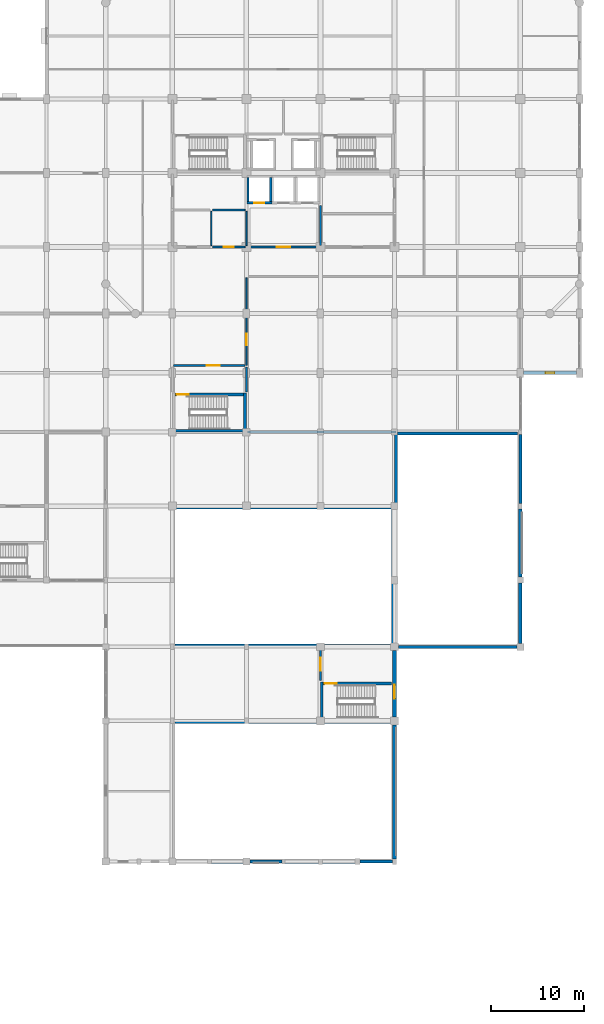
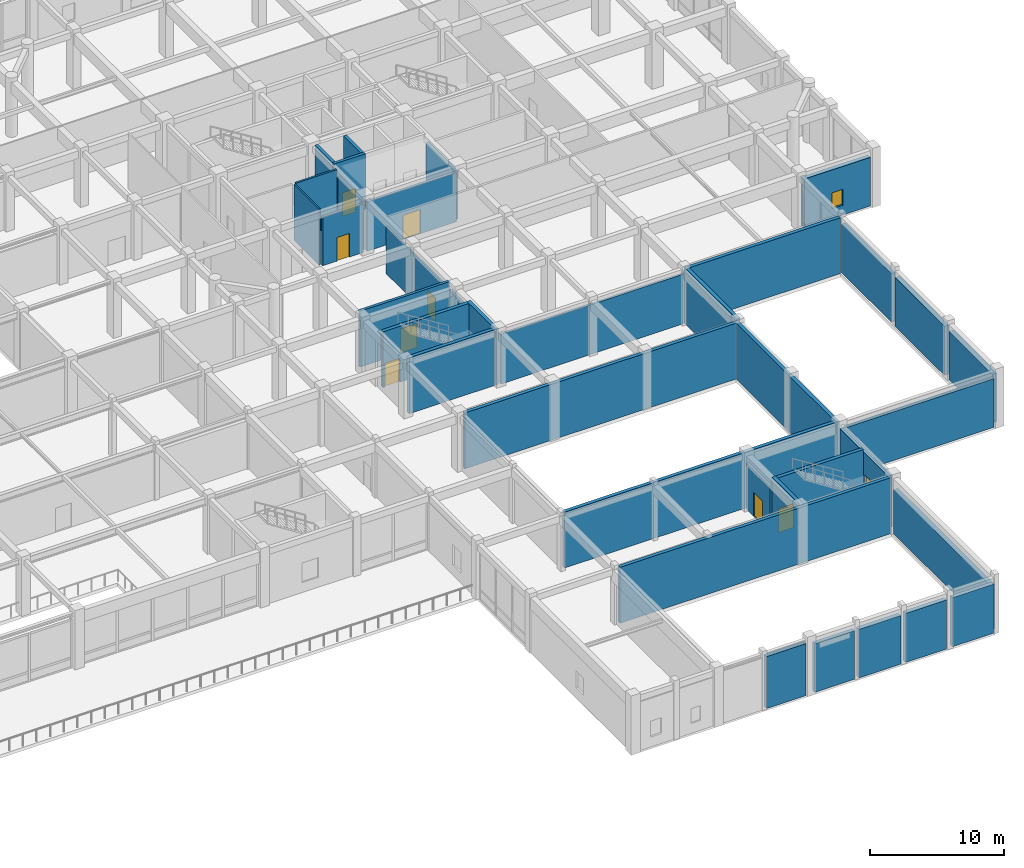
# One storey, part 28 of 36: 37 walls, 8 doors, 2 windows, 10 openings.
"""IFC4 building model written with IfcOpenShell, lengths in metres."""

from ifc_helpers import new_model, si_unit, direction, frame, frame_2d, origin, place, context, subcontext, project, spatial, rectangle, extrude, material, layer, layer_set, type_object, element, fill, save


model = new_model("IFC4")

# Units and contexts
model_context = context("Model", 3, precision=1e-05, world=origin(), true_north=direction((0.0, 1.0)))
body_context = subcontext(model_context, "Body", "Model", "MODEL_VIEW")
ifc_project = project(units=[si_unit("LENGTHUNIT", "METRE"), si_unit("AREAUNIT", "SQUARE_METRE"), si_unit("VOLUMEUNIT", "CUBIC_METRE"), si_unit("PLANEANGLEUNIT", "RADIAN"), si_unit("MASSUNIT", "GRAM", prefix="KILO")], contexts=[model_context])

# Site, building, storey
site_placement = place(None, origin())
site = spatial("IfcSite", under=ifc_project, at=site_placement, CompositionType="ELEMENT")
building_placement = place(site_placement, origin())
building = spatial("IfcBuilding", under=site, at=building_placement, Name="Vellmiral Cinema and Media Centre", CompositionType="ELEMENT")
storey_placement = place(building_placement, frame((0.0, 0.0, 5.39990234375)))
storey = spatial("IfcBuildingStorey", under=building, at=storey_placement, Name="L01", CompositionType="ELEMENT", Elevation=5.39990234375)

# Walls
ifc_material_1 = material(Name="Concrete C40/50", Category="concrete")
ifc_layer_1 = layer(ifc_material_1, 0.300048828125, Name="Concrete C40/50")
ifc_layer_set_1 = layer_set([ifc_layer_1], Name="Concrete C40/50")
wall_type_1 = type_object("IfcWallType", Name="WL-CORE-300", PredefinedType="SHEAR", material=ifc_layer_set_1)
for number, where, z_axis, x_axis, name in (
    (1, (124.300048828125, 27.85009765625, 0.0), (0.0, 0.0, 1.0), (1.0, 0.0, 0.0), "Cinema Screen 5 Acoustic Enclosure Wall L01-N1"),
    (2, (124.300048828125, 36.14990234375, 0.0), (0.0, 0.0, 1.0), (1.0, 0.0, 0.0), "Cinema Screen 6 Acoustic Enclosure Wall L01-S1"),
    (3, (124.300048828125, 51.050048828125, 0.0), (0.0, 0.0, 1.0), (1.0, 0.0, 0.0), "Cinema Screen 6 Acoustic Enclosure Wall L01-N1"),
):
    element("IfcWall", number, at=place(storey_placement, frame(where, z_axis=z_axis, x_axis=x_axis)), inside=storey, type_object=wall_type_1, Name=name, PredefinedType="SHEAR", context=body_context, shape_type="SweptSolid", body=[
        extrude(rectangle(XDim=23.39990234375, YDim=0.300048828125, at=frame_2d((11.699951171875, 0.0))), origin(), (0.0, 0.0, 1.0), 5.10009765625),
    ])
wall_1_placement = place(storey_placement, frame((147.85009765625, 36.0, 0.0), z_axis=(0.0, 0.0, 1.0), x_axis=(0.0, 1.0, 0.0)))
element("IfcWall", 4, at=wall_1_placement, inside=storey, type_object=wall_type_1, Name="Cinema Screen 6 Acoustic Enclosure Wall L01-E1", PredefinedType="SHEAR", context=body_context, shape_type="SweptSolid", body=[
    extrude(rectangle(XDim=15.199951171875, YDim=0.300048828125, at=frame_2d((7.60009765625, 0.0))), origin(), (0.0, 0.0, 1.0), 5.10009765625),
])
wall_2_placement = place(storey_placement, frame((148.300048828125, 59.050048828125, 0.0), z_axis=(0.0, 0.0, 1.0), x_axis=(1.0, 0.0, 0.0)))
element("IfcWall", 5, at=wall_2_placement, inside=storey, type_object=wall_type_1, Name="Cinema Screen 7 Acoustic Enclosure Wall L01-N1", PredefinedType="SHEAR", context=body_context, shape_type="SweptSolid", body=[
    extrude(rectangle(XDim=13.0, YDim=0.300048828125, at=frame_2d((6.5, 0.0))), origin(), (0.0, 0.0, 1.0), 5.10009765625),
])
wall_3_placement = place(storey_placement, frame((148.14990234375, 51.35009765625, 0.0), z_axis=(0.0, 0.0, 1.0), x_axis=(0.0, 1.0, 0.0)))
element("IfcWall", 6, at=wall_3_placement, inside=storey, type_object=wall_type_1, Name="Cinema Screen 7 Acoustic Enclosure Wall L01-W1", PredefinedType="SHEAR", context=body_context, shape_type="SweptSolid", body=[
    extrude(rectangle(XDim=7.849853515625, YDim=0.300048828125, at=frame_2d((3.9248046875, 0.0))), origin(), (0.0, 0.0, 1.0), 5.10009765625),
])
wall_4_placement = place(storey_placement, frame((131.85009765625, 59.199951171875, 0.0), z_axis=(0.0, 0.0, 1.0), x_axis=(0.0, 1.0, 0.0)))
element("IfcWall", 7, at=wall_4_placement, inside=storey, type_object=wall_type_1, Name="Stair Core Wall ST-P6 L01-E", PredefinedType="SHEAR", context=body_context, shape_type="SweptSolid", body=[
    extrude(rectangle(XDim=4.199951171875, YDim=0.300048828125, at=frame_2d((2.10009765625, 0.0))), origin(), (0.0, 0.0, 1.0), 5.10009765625),
])
wall_5_placement = place(storey_placement, frame((124.300048828125, 59.35009765625, 0.0), z_axis=(0.0, 0.0, 1.0), x_axis=(1.0, 0.0, 0.0)))
element("IfcWall", 8, at=wall_5_placement, inside=storey, type_object=wall_type_1, Name="Stair Core Wall ST-P6 L01-S", PredefinedType="SHEAR", context=body_context, shape_type="SweptSolid", body=[
    extrude(rectangle(XDim=7.39990234375, YDim=0.300048828125, at=frame_2d((3.699951171875, 0.0))), origin(), (0.0, 0.0, 1.0), 5.10009765625),
])

# Wall, opening, door
wall_6_placement = place(storey_placement, frame((124.300048828125, 63.25, 0.0), z_axis=(0.0, 0.0, 1.0), x_axis=(1.0, 0.0, 0.0)))
wall_6 = element("IfcWall", 9, at=wall_6_placement, inside=storey, type_object=wall_type_1, Name="Stair Core Wall ST-P6 L01-N", PredefinedType="SHEAR", context=body_context, shape_type="SweptSolid", body=[
    extrude(rectangle(XDim=7.39990234375, YDim=0.300048828125, at=frame_2d((3.699951171875, 0.0))), origin(), (0.0, 0.0, 1.0), 5.10009765625),
])
opening_1_placement = place(wall_6_placement, frame((0.159912109375, 0.0, 0.0)))
opening_1 = element("IfcOpeningElement", 10, at=opening_1_placement, cuts=wall_6, Name="Opening D-FD30A", PredefinedType="OPENING", context=body_context, shape_type="SweptSolid", body=[
    extrude(rectangle(XDim=1.300048828125, YDim=2.179931640625, at=frame_2d((0.64990234375, 1.08984375))), frame((0.0, 0.162109375, 0.0), z_axis=(0.0, -1.0, 0.0), x_axis=(1.0, 0.0, 0.0)), (0.0, 0.0, 1.0), 0.323974609375),
])
ifc_material_2 = material(Name="Steel Stair Fire Door", Category="steel")
door_type_1 = type_object("IfcDoorType", Name="DR-FD30-1300x2180", OperationType="NOTDEFINED", PredefinedType="DOOR", material=ifc_material_2)
door_1_placement = place(opening_1_placement, frame((1.300048828125, 0.0, 0.0), z_axis=(0.0, 0.0, 1.0), x_axis=(-1.0, 0.0, 0.0)))
door_1 = element("IfcDoor", 11, at=door_1_placement, inside=storey, type_object=door_type_1, Name="Protected Stair Door ST-P6 L01", OperationType="SINGLE_SWING_RIGHT", OverallHeight=2.179931640625, OverallWidth=1.300048828125, PredefinedType="DOOR", context=body_context, shape_type="SweptSolid", body=[
    extrude(rectangle(XDim=1.300048828125, YDim=2.179931640625, at=frame_2d((0.64990234375, 1.08984375))), frame((0.0, 0.02490234375, 0.0), z_axis=(0.0, -1.0, 0.0), x_axis=(1.0, 0.0, 0.0)), (0.0, 0.0, 1.0), 0.050048828125),
])
fill(opening_1, door_1)

# Wall
wall_7_placement = place(storey_placement, frame((140.14990234375, 28.0, 0.0), z_axis=(0.0, 0.0, 1.0), x_axis=(0.0, 1.0, 0.0)))
element("IfcWall", 12, at=wall_7_placement, inside=storey, type_object=wall_type_1, Name="Stair Core Wall ST-P8 L01-W", PredefinedType="SHEAR", context=body_context, shape_type="SweptSolid", body=[
    extrude(rectangle(XDim=4.199951171875, YDim=0.300048828125, at=frame_2d((2.10009765625, 0.0))), origin(), (0.0, 0.0, 1.0), 5.10009765625),
])

# Wall, opening, door
wall_8_placement = place(storey_placement, frame((140.300048828125, 32.050048828125, 0.0), z_axis=(0.0, 0.0, 1.0), x_axis=(1.0, 0.0, 0.0)))
wall_8 = element("IfcWall", 13, at=wall_8_placement, inside=storey, type_object=wall_type_1, Name="Stair Core Wall ST-P8 L01-N", PredefinedType="SHEAR", context=body_context, shape_type="SweptSolid", body=[
    extrude(rectangle(XDim=7.39990234375, YDim=0.300048828125, at=frame_2d((3.699951171875, 0.0))), origin(), (0.0, 0.0, 1.0), 5.10009765625),
])
opening_2_placement = place(wall_8_placement, frame((0.159912109375, 0.0, 0.0)))
opening_2 = element("IfcOpeningElement", 14, at=opening_2_placement, cuts=wall_8, Name="Opening D-FD30A", PredefinedType="OPENING", context=body_context, shape_type="SweptSolid", body=[
    extrude(rectangle(XDim=1.300048828125, YDim=2.179931640625, at=frame_2d((0.64990234375, 1.08984375))), frame((0.0, 0.162109375, 0.0), z_axis=(0.0, -1.0, 0.0), x_axis=(1.0, 0.0, 0.0)), (0.0, 0.0, 1.0), 0.323974609375),
])
door_2_placement = place(opening_2_placement, frame((1.300048828125, 0.0, 0.0), z_axis=(0.0, 0.0, 1.0), x_axis=(-1.0, 0.0, 0.0)))
door_2 = element("IfcDoor", 15, at=door_2_placement, inside=storey, type_object=door_type_1, Name="Protected Stair Door ST-P8 L01", OperationType="SINGLE_SWING_RIGHT", OverallHeight=2.179931640625, OverallWidth=1.300048828125, PredefinedType="DOOR", context=body_context, shape_type="SweptSolid", body=[
    extrude(rectangle(XDim=1.300048828125, YDim=2.179931640625, at=frame_2d((0.64990234375, 1.08984375))), frame((0.0, 0.02490234375, 0.0), z_axis=(0.0, -1.0, 0.0), x_axis=(1.0, 0.0, 0.0)), (0.0, 0.0, 1.0), 0.050048828125),
])
fill(opening_2, door_2)

# Walls
ifc_material_3 = material(Name="Polychrome Glazed Ceramic Cladding", Category="masonry")
ifc_layer_2 = layer(ifc_material_3, 0.320068359375, Name="Polychrome Glazed Ceramic Cladding")
ifc_layer_set_2 = layer_set([ifc_layer_2], Name="Polychrome Glazed Ceramic Cladding")
wall_type_2 = type_object("IfcWallType", Name="WL-EXT-BRICK-320", PredefinedType="SOLIDWALL", material=ifc_layer_set_2)
wall_9_placement = place(storey_placement, frame((132.375, 12.800048828125, 0.0), z_axis=(0.0, 0.0, 1.0), x_axis=(1.0, 0.0, 0.0)))
element("IfcWall", 16, at=wall_9_placement, inside=storey, type_object=wall_type_2, Name="Exterior Facade Wall L01-024", PredefinedType="SOLIDWALL", context=body_context, shape_type="SweptSolid", body=[
    extrude(rectangle(XDim=3.449951171875, YDim=0.320068359375, at=frame_2d((1.72509765625, 0.0))), origin(), (0.0, 0.0, 1.0), 4.43505859375),
])
wall_10_placement = place(storey_placement, frame((144.25, 12.800048828125, 0.0), z_axis=(0.0, 0.0, 1.0), x_axis=(1.0, 0.0, 0.0)))
element("IfcWall", 17, at=wall_10_placement, inside=storey, type_object=wall_type_2, Name="Exterior Facade Wall L01-027", PredefinedType="SOLIDWALL", context=body_context, shape_type="SweptSolid", body=[
    extrude(rectangle(XDim=3.550048828125, YDim=0.320068359375, at=frame_2d((1.77490234375, 0.0))), origin(), (0.0, 0.0, 1.0), 4.47509765625),
])
wall_11_placement = place(storey_placement, frame((148.425048828125, 36.0, 0.0), z_axis=(0.0, 0.0, 1.0), x_axis=(1.0, 0.0, 0.0)))
element("IfcWall", 18, at=wall_11_placement, inside=storey, type_object=wall_type_2, Name="Exterior Facade Wall L01-030", PredefinedType="SOLIDWALL", context=body_context, shape_type="SweptSolid", body=[
    extrude(rectangle(XDim=12.800048828125, YDim=0.320068359375, at=frame_2d((6.39990234375, 0.0))), origin(), (0.0, 0.0, 1.0), 4.43505859375),
])
wall_12_placement = place(storey_placement, frame((161.60009765625, 51.5, 0.0), z_axis=(0.0, 0.0, 1.0), x_axis=(0.0, 1.0, 0.0)))
element("IfcWall", 19, at=wall_12_placement, inside=storey, type_object=wall_type_2, Name="Exterior Facade Wall L01-033", PredefinedType="SOLIDWALL", context=body_context, shape_type="SweptSolid", body=[
    extrude(rectangle(XDim=7.449951171875, YDim=0.320068359375, at=frame_2d((3.72509765625, 0.0))), origin(), (0.0, 0.0, 1.0), 4.455078125),
])
ifc_material_4 = material(Name="Vosges Red Sandstone Masonry", Category="masonry")
ifc_layer_3 = layer(ifc_material_4, 0.3798828125, Name="Vosges Red Sandstone Masonry")
ifc_layer_set_3 = layer_set([ifc_layer_3], Name="Vosges Red Sandstone Masonry")
wall_type_3 = type_object("IfcWallType", Name="WL-EXT-SAND-380", PredefinedType="SOLIDWALL", material=ifc_layer_set_3)
wall_13_placement = place(storey_placement, frame((128.199951171875, 12.800048828125, 0.0), z_axis=(0.0, 0.0, 1.0), x_axis=(1.0, 0.0, 0.0)))
element("IfcWall", 20, at=wall_13_placement, inside=storey, type_object=wall_type_3, Name="Exterior Facade Wall L01-023", PredefinedType="SOLIDWALL", context=body_context, shape_type="SweptSolid", body=[
    extrude(rectangle(XDim=3.425048828125, YDim=0.3798828125, at=frame_2d((1.71240234375, 0.0))), origin(), (0.0, 0.0, 1.0), 4.735107421875),
])
wall_14_placement = place(storey_placement, frame((136.175048828125, 12.800048828125, 0.0), z_axis=(0.0, 0.0, 1.0), x_axis=(1.0, 0.0, 0.0)))
element("IfcWall", 21, at=wall_14_placement, inside=storey, type_object=wall_type_3, Name="Exterior Facade Wall L01-025", PredefinedType="SOLIDWALL", context=body_context, shape_type="SweptSolid", body=[
    extrude(rectangle(XDim=3.625, YDim=0.3798828125, at=frame_2d((1.8125, 0.0))), origin(), (0.0, 0.0, 1.0), 4.43505859375),
])
wall_15_placement = place(storey_placement, frame((140.199951171875, 12.800048828125, 0.0), z_axis=(0.0, 0.0, 1.0), x_axis=(1.0, 0.0, 0.0)))
element("IfcWall", 22, at=wall_15_placement, inside=storey, type_object=wall_type_3, Name="Exterior Facade Wall L01-026", PredefinedType="SOLIDWALL", context=body_context, shape_type="SweptSolid", body=[
    extrude(rectangle(XDim=3.550048828125, YDim=0.3798828125, at=frame_2d((1.77490234375, 0.0))), origin(), (0.0, 0.0, 1.0), 4.47509765625),
])
wall_16_placement = place(storey_placement, frame((148.0, 13.10009765625, 0.0), z_axis=(0.0, 0.0, 1.0), x_axis=(0.0, 1.0, 0.0)))
element("IfcWall", 23, at=wall_16_placement, inside=storey, type_object=wall_type_3, Name="Exterior Facade Wall L01-028", PredefinedType="SOLIDWALL", context=body_context, shape_type="SweptSolid", body=[
    extrude(rectangle(XDim=14.474853515625, YDim=0.3798828125, at=frame_2d((7.2373046875, 0.0))), origin(), (0.0, 0.0, 1.0), 4.03515625),
])

# Wall, opening, window
wall_17_placement = place(storey_placement, frame((148.0, 28.425048828125, 0.0), z_axis=(0.0, 0.0, 1.0), x_axis=(0.0, 1.0, 0.0)))
wall_17 = element("IfcWall", 24, at=wall_17_placement, inside=storey, type_object=wall_type_3, Name="Exterior Facade Wall L01-029", PredefinedType="SOLIDWALL", context=body_context, shape_type="SweptSolid", body=[
    extrude(rectangle(XDim=7.14990234375, YDim=0.3798828125, at=frame_2d((3.574951171875, 0.0))), origin(), (0.0, 0.0, 1.0), 4.735107421875),
])
opening_3_placement = place(wall_17_placement, frame((1.97509765625, 0.0, 0.89990234375)))
opening_3 = element("IfcOpeningElement", 25, at=opening_3_placement, cuts=wall_17, Name="Opening WN-06", PredefinedType="OPENING", context=body_context, shape_type="SweptSolid", body=[
    extrude(rectangle(XDim=1.5, YDim=1.85009765625, at=frame_2d((0.75, 0.925048828125))), frame((0.0, 0.201904296875, 0.0), z_axis=(0.0, -1.0, 0.0), x_axis=(1.0, 0.0, 0.0)), (0.0, 0.0, 1.0), 0.40380859375),
])
ifc_material_5 = material(Name="Thermally Broken Aluminium Triple Glazing", Category="aluminium")
window_type_1 = type_object("IfcWindowType", Name="WN-1500x1850", PartitioningType="SINGLE_PANEL", PredefinedType="WINDOW", material=ifc_material_5)
window_1_placement = place(opening_3_placement, origin())
window_1 = element("IfcWindow", 26, at=window_1_placement, inside=storey, type_object=window_type_1, Name="Window L01-029", OverallHeight=1.85009765625, OverallWidth=1.5, PartitioningType="SINGLE_PANEL", PredefinedType="WINDOW", context=body_context, shape_type="SweptSolid", body=[
    extrude(rectangle(XDim=1.5, YDim=1.85009765625, at=frame_2d((0.75, 0.925048828125))), frame((0.0, 0.030029296875, 0.0), z_axis=(0.0, -1.0, 0.0), x_axis=(1.0, 0.0, 0.0)), (0.0, 0.0, 1.0), 0.06005859375),
])
fill(opening_3, window_1)

# Walls
wall_18_placement = place(storey_placement, frame((161.60009765625, 36.375, 0.0), z_axis=(0.0, 0.0, 1.0), x_axis=(0.0, 1.0, 0.0)))
element("IfcWall", 27, at=wall_18_placement, inside=storey, type_object=wall_type_3, Name="Exterior Facade Wall L01-031", PredefinedType="SOLIDWALL", context=body_context, shape_type="SweptSolid", body=[
    extrude(rectangle(XDim=6.5, YDim=0.3798828125, at=frame_2d((3.25, 0.0))), origin(), (0.0, 0.0, 1.0), 4.43505859375),
])
wall_19_placement = place(storey_placement, frame((161.60009765625, 43.52490234375, 0.0), z_axis=(0.0, 0.0, 1.0), x_axis=(0.0, 1.0, 0.0)))
element("IfcWall", 28, at=wall_19_placement, inside=storey, type_object=wall_type_3, Name="Exterior Facade Wall L01-032", PredefinedType="SOLIDWALL", context=body_context, shape_type="SweptSolid", body=[
    extrude(rectangle(XDim=7.375, YDim=0.3798828125, at=frame_2d((3.6875, 0.0))), origin(), (0.0, 0.0, 1.0), 4.47509765625),
])

# Wall, opening, window
wall_20_placement = place(storey_placement, frame((161.949951171875, 65.60009765625, 0.0), z_axis=(0.0, 0.0, 1.0), x_axis=(1.0, 0.0, 0.0)))
wall_20 = element("IfcWall", 29, at=wall_20_placement, inside=storey, type_object=wall_type_3, Name="Exterior Facade Wall L01-035", PredefinedType="SOLIDWALL", context=body_context, shape_type="SweptSolid", body=[
    extrude(rectangle(XDim=5.699951171875, YDim=0.3798828125, at=frame_2d((2.85009765625, 0.0))), origin(), (0.0, 0.0, 1.0), 4.440185546875),
])
opening_4_placement = place(wall_20_placement, frame((2.375, 0.0, 0.89990234375)))
opening_4 = element("IfcOpeningElement", 30, at=opening_4_placement, cuts=wall_20, Name="Opening WN-12", PredefinedType="OPENING", context=body_context, shape_type="SweptSolid", body=[
    extrude(rectangle(XDim=0.949951171875, YDim=1.449951171875, at=frame_2d((0.47509765625, 0.72509765625))), frame((0.0, 0.201904296875, 0.0), z_axis=(0.0, -1.0, 0.0), x_axis=(1.0, 0.0, 0.0)), (0.0, 0.0, 1.0), 0.40380859375),
])
ifc_material_6 = material(Name="Thermally Broken Aluminium Triple Glazing", Category="aluminium")
window_type_2 = type_object("IfcWindowType", Name="WN-0950x1450", PartitioningType="SINGLE_PANEL", PredefinedType="WINDOW", material=ifc_material_6)
window_2_placement = place(opening_4_placement, origin())
window_2 = element("IfcWindow", 31, at=window_2_placement, inside=storey, type_object=window_type_2, Name="Window L01-035", OverallHeight=1.449951171875, OverallWidth=0.949951171875, PartitioningType="SINGLE_PANEL", PredefinedType="WINDOW", context=body_context, shape_type="SweptSolid", body=[
    extrude(rectangle(XDim=0.949951171875, YDim=1.449951171875, at=frame_2d((0.47509765625, 0.72509765625))), frame((0.0, 0.030029296875, 0.0), z_axis=(0.0, -1.0, 0.0), x_axis=(1.0, 0.0, 0.0)), (0.0, 0.0, 1.0), 0.06005859375),
])
fill(opening_4, window_2)

# Wall, opening, door
ifc_material_7 = material(Name="Concrete C40/50", Category="concrete")
ifc_layer_4 = layer(ifc_material_7, 0.22998046875, Name="Concrete C40/50")
ifc_layer_set_4 = layer_set([ifc_layer_4], Name="Concrete C40/50")
wall_type_4 = type_object("IfcWallType", Name="WL-FFL-230", PredefinedType="SOLIDWALL", material=ifc_layer_set_4)
wall_21_placement = place(storey_placement, frame((124.139892578125, 66.39990234375, 0.0), z_axis=(0.0, 0.0, 1.0), x_axis=(1.0, 0.0, 0.0)))
wall_21 = element("IfcWall", 32, at=wall_21_placement, inside=storey, type_object=wall_type_4, Name="Firefighting Stair Lobby ST-P6 Wall N", PredefinedType="SOLIDWALL", context=body_context, shape_type="SweptSolid", body=[
    extrude(rectangle(XDim=7.72021484375, YDim=0.22998046875, at=frame_2d((3.860107421875, 0.0))), origin(), (0.0, 0.0, 1.0), 5.10009765625),
])
opening_5_placement = place(wall_21_placement, frame((3.56005859375, 0.0, 0.0)))
opening_5 = element("IfcOpeningElement", 33, at=opening_5_placement, cuts=wall_21, Name="Opening D-FD60B", PredefinedType="OPENING", context=body_context, shape_type="SweptSolid", body=[
    extrude(rectangle(XDim=1.39990234375, YDim=2.199951171875, at=frame_2d((0.699951171875, 1.10009765625))), frame((0.0, 0.126953125, 0.0), z_axis=(0.0, -1.0, 0.0), x_axis=(1.0, 0.0, 0.0)), (0.0, 0.0, 1.0), 0.25390625),
])
ifc_material_8 = material(Name="Steel Fire Door", Category="steel")
door_type_2 = type_object("IfcDoorType", Name="DR-FD60-1400x2200", OperationType="NOTDEFINED", PredefinedType="DOOR", material=ifc_material_8)
door_3_placement = place(opening_5_placement, frame((1.39990234375, 0.0, 0.0), z_axis=(0.0, 0.0, 1.0), x_axis=(-1.0, 0.0, 0.0)))
door_3 = element("IfcDoor", 34, at=door_3_placement, inside=storey, type_object=door_type_2, Name="Firefighting Stair Lobby ST-P6 Door", OperationType="SINGLE_SWING_LEFT", OverallHeight=2.199951171875, OverallWidth=1.39990234375, PredefinedType="DOOR", context=body_context, shape_type="SweptSolid", body=[
    extrude(rectangle(XDim=1.39990234375, YDim=2.199951171875, at=frame_2d((0.699951171875, 1.10009765625))), frame((0.0, 0.02490234375, 0.0), z_axis=(0.0, -1.0, 0.0), x_axis=(1.0, 0.0, 0.0)), (0.0, 0.0, 1.0), 0.050048828125),
])
fill(opening_5, door_3)

# Wall
wall_22_placement = place(storey_placement, frame((132.0, 63.5400390625, 0.0), z_axis=(0.0, 0.0, 1.0), x_axis=(0.0, 1.0, 0.0)))
element("IfcWall", 35, at=wall_22_placement, inside=storey, type_object=wall_type_4, Name="Firefighting Stair Lobby ST-P6 Wall E", PredefinedType="SOLIDWALL", context=body_context, shape_type="SweptSolid", body=[
    extrude(rectangle(XDim=2.719970703125, YDim=0.22998046875, at=frame_2d((1.35986328125, 0.0))), origin(), (0.0, 0.0, 1.0), 4.235107421875),
])

# Wall, opening, door
wall_23_placement = place(storey_placement, frame((140.0, 32.340087890625, 0.0), z_axis=(0.0, 0.0, 1.0), x_axis=(0.0, 1.0, 0.0)))
wall_23 = element("IfcWall", 36, at=wall_23_placement, inside=storey, type_object=wall_type_4, Name="Firefighting Stair Lobby ST-P8 Wall W", PredefinedType="SOLIDWALL", context=body_context, shape_type="SweptSolid", body=[
    extrude(rectangle(XDim=3.52001953125, YDim=0.22998046875, at=frame_2d((1.760009765625, 0.0))), origin(), (0.0, 0.0, 1.0), 4.18505859375),
])
opening_6_placement = place(wall_23_placement, frame((1.06005859375, 0.0, 0.0)))
opening_6 = element("IfcOpeningElement", 37, at=opening_6_placement, cuts=wall_23, Name="Opening D-FD60B", PredefinedType="OPENING", context=body_context, shape_type="SweptSolid", body=[
    extrude(rectangle(XDim=1.39990234375, YDim=2.199951171875, at=frame_2d((0.699951171875, 1.10009765625))), frame((0.0, 0.126953125, 0.0), z_axis=(0.0, -1.0, 0.0), x_axis=(1.0, 0.0, 0.0)), (0.0, 0.0, 1.0), 0.25390625),
])
door_4_placement = place(opening_6_placement, frame((1.39990234375, 0.0, 0.0), z_axis=(0.0, 0.0, 1.0), x_axis=(-1.0, 0.0, 0.0)))
door_4 = element("IfcDoor", 38, at=door_4_placement, inside=storey, type_object=door_type_2, Name="Firefighting Stair Lobby ST-P8 Door", OperationType="SINGLE_SWING_RIGHT", OverallHeight=2.199951171875, OverallWidth=1.39990234375, PredefinedType="DOOR", context=body_context, shape_type="SweptSolid", body=[
    extrude(rectangle(XDim=1.39990234375, YDim=2.199951171875, at=frame_2d((0.699951171875, 1.10009765625))), frame((0.0, 0.02490234375, 0.0), z_axis=(0.0, -1.0, 0.0), x_axis=(1.0, 0.0, 0.0)), (0.0, 0.0, 1.0), 0.050048828125),
])
fill(opening_6, door_4)

wall_24_placement = place(storey_placement, frame((132.139892578125, 79.199951171875, 0.0), z_axis=(0.0, 0.0, 1.0), x_axis=(1.0, 0.0, 0.0)))
wall_24 = element("IfcWall", 39, at=wall_24_placement, inside=storey, type_object=wall_type_4, Name="Tower Passenger Lift Lobby Wall S", PredefinedType="SOLIDWALL", context=body_context, shape_type="SweptSolid", body=[
    extrude(rectangle(XDim=7.72021484375, YDim=0.22998046875, at=frame_2d((3.860107421875, 0.0))), origin(), (0.0, 0.0, 1.0), 4.485107421875),
])
opening_7_placement = place(wall_24_placement, frame((3.110107421875, 0.0, 0.0)))
opening_7 = element("IfcOpeningElement", 40, at=opening_7_placement, cuts=wall_24, Name="Opening D-FD30", PredefinedType="OPENING", context=body_context, shape_type="SweptSolid", body=[
    extrude(rectangle(XDim=1.5, YDim=2.199951171875, at=frame_2d((0.75, 1.10009765625))), frame((0.0, 0.126953125, 0.0), z_axis=(0.0, -1.0, 0.0), x_axis=(1.0, 0.0, 0.0)), (0.0, 0.0, 1.0), 0.25390625),
])
ifc_material_9 = material(Name="Timber-Core Fire Door", Category="wood")
door_type_3 = type_object("IfcDoorType", Name="DR-FD30-1500x2200", OperationType="DOUBLE_DOOR_SINGLE_SWING", PredefinedType="DOOR", material=ifc_material_9)
door_5_placement = place(opening_7_placement, frame((1.5, 0.0, 0.0), z_axis=(0.0, 0.0, 1.0), x_axis=(-1.0, 0.0, 0.0)))
door_5 = element("IfcDoor", 41, at=door_5_placement, inside=storey, type_object=door_type_3, Name="Tower Passenger Lift Lobby Door", OperationType="DOUBLE_DOOR_SINGLE_SWING", OverallHeight=2.199951171875, OverallWidth=1.5, PredefinedType="DOOR", context=body_context, shape_type="SweptSolid", body=[
    extrude(rectangle(XDim=1.5, YDim=2.199951171875, at=frame_2d((0.75, 1.10009765625))), frame((0.0, 0.02490234375, 0.0), z_axis=(0.0, -1.0, 0.0), x_axis=(1.0, 0.0, 0.0)), (0.0, 0.0, 1.0), 0.050048828125),
])
fill(opening_7, door_5)

# Walls
wall_25_placement = place(storey_placement, frame((140.0, 79.340087890625, 0.0), z_axis=(0.0, 0.0, 1.0), x_axis=(0.0, 1.0, 0.0)))
element("IfcWall", 42, at=wall_25_placement, inside=storey, type_object=wall_type_4, Name="Tower Passenger Lift Lobby Wall E", PredefinedType="SOLIDWALL", context=body_context, shape_type="SweptSolid", body=[
    extrude(rectangle(XDim=4.31982421875, YDim=0.22998046875, at=frame_2d((2.159912109375, 0.0))), origin(), (0.0, 0.0, 1.0), 4.43505859375),
])
ifc_material_10 = material(Name="Gypsum Plasterboard")
ifc_layer_5 = layer(ifc_material_10, 0.02490234375, Name="Gypsum Plasterboard", Category="gypsum")
ifc_material_11 = material(Name="Mineral Wool Acoustic Insulation", Category="insulation")
ifc_layer_6 = layer(ifc_material_11, 0.080078125, Name="Mineral Wool Acoustic Insulation", Category="insulation")
ifc_layer_7 = layer(ifc_material_10, 0.02490234375, Name="Gypsum Plasterboard", Category="gypsum")
ifc_layer_set_5 = layer_set([ifc_layer_5, ifc_layer_6, ifc_layer_7], Name="Gypsum Plasterboard")
wall_type_5 = type_object("IfcWallType", Name="WL-PART-130", PredefinedType="PARTITIONING", material=ifc_layer_set_5)
wall_26_placement = place(storey_placement, frame((128.199951171875, 79.340087890625, 0.0), z_axis=(0.0, 0.0, 1.0), x_axis=(0.0, 1.0, 0.0)))
element("IfcWall", 43, at=wall_26_placement, inside=storey, type_object=wall_type_5, Name="Staff WC Wall E", PredefinedType="PARTITIONING", context=body_context, shape_type="SweptSolid", body=[
    extrude(rectangle(XDim=3.719970703125, YDim=0.1298828125, at=frame_2d((1.85986328125, 0.0))), origin(), (0.0, 0.0, 1.0), 5.10009765625),
])
ifc_material_12 = material(Name="Gypsum Plasterboard")
ifc_layer_8 = layer(ifc_material_12, 0.02490234375, Name="Gypsum Plasterboard", Category="gypsum")
ifc_material_13 = material(Name="Mineral Wool Acoustic Insulation", Category="insulation")
ifc_layer_9 = layer(ifc_material_13, 0.10009765625, Name="Mineral Wool Acoustic Insulation", Category="insulation")
ifc_layer_10 = layer(ifc_material_12, 0.02490234375, Name="Gypsum Plasterboard", Category="gypsum")
ifc_layer_set_6 = layer_set([ifc_layer_8, ifc_layer_9, ifc_layer_10], Name="Gypsum Plasterboard")
wall_type_6 = type_object("IfcWallType", Name="WL-PART-150", PredefinedType="PARTITIONING", material=ifc_layer_set_6)
wall_27_placement = place(storey_placement, frame((132.0, 79.340087890625, 0.0), z_axis=(0.0, 0.0, 1.0), x_axis=(0.0, 1.0, 0.0)))
element("IfcWall", 44, at=wall_27_placement, inside=storey, type_object=wall_type_6, Name="Accessible WC Wall E", PredefinedType="PARTITIONING", context=body_context, shape_type="SweptSolid", body=[
    extrude(rectangle(XDim=3.719970703125, YDim=0.14990234375, at=frame_2d((1.85986328125, 0.0))), origin(), (0.0, 0.0, 1.0), 4.485107421875),
])

# Wall, opening, door
wall_28_placement = place(storey_placement, frame((132.0, 66.39990234375, 0.0), z_axis=(0.0, 0.0, 1.0), x_axis=(0.0, 1.0, 0.0)))
wall_28 = element("IfcWall", 45, at=wall_28_placement, inside=storey, type_object=wall_type_6, Name="Tower L01 Production Office South Wall W", PredefinedType="PARTITIONING", context=body_context, shape_type="SweptSolid", body=[
    extrude(rectangle(XDim=9.460205078125, YDim=0.14990234375, at=frame_2d((4.72998046875, 0.0))), origin(), (0.0, 0.0, 1.0), 4.28515625),
])
opening_8_placement = place(wall_28_placement, frame((2.199951171875, 0.0, 0.0)))
opening_8 = element("IfcOpeningElement", 46, at=opening_8_placement, cuts=wall_28, Name="Opening D-I05", PredefinedType="OPENING", context=body_context, shape_type="SweptSolid", body=[
    extrude(rectangle(XDim=1.199951171875, YDim=2.14990234375, at=frame_2d((0.60009765625, 1.074951171875))), frame((0.0, 0.0869140625, 0.0), z_axis=(0.0, -1.0, 0.0), x_axis=(1.0, 0.0, 0.0)), (0.0, 0.0, 1.0), 0.173828125),
])
ifc_material_14 = material(Name="Laminated Timber Door", Category="wood")
door_type_4 = type_object("IfcDoorType", Name="DR-INT-1200x2150", OperationType="NOTDEFINED", PredefinedType="DOOR", material=ifc_material_14)
door_6_placement = place(opening_8_placement, frame((1.199951171875, 0.0, 0.0), z_axis=(0.0, 0.0, 1.0), x_axis=(-1.0, 0.0, 0.0)))
door_6 = element("IfcDoor", 47, at=door_6_placement, inside=storey, type_object=door_type_4, Name="Tower L01 Production Office South Door", OperationType="SINGLE_SWING_RIGHT", OverallHeight=2.14990234375, OverallWidth=1.199951171875, PredefinedType="DOOR", context=body_context, shape_type="SweptSolid", body=[
    extrude(rectangle(XDim=1.199951171875, YDim=2.14990234375, at=frame_2d((0.60009765625, 1.074951171875))), frame((0.0, 0.02490234375, 0.0), z_axis=(0.0, -1.0, 0.0), x_axis=(1.0, 0.0, 0.0)), (0.0, 0.0, 1.0), 0.050048828125),
])
fill(opening_8, door_6)

# Wall
ifc_material_15 = material(Name="Gypsum Plasterboard")
ifc_layer_11 = layer(ifc_material_15, 0.02490234375, Name="Gypsum Plasterboard", Category="gypsum")
ifc_material_16 = material(Name="Mineral Wool Acoustic Insulation", Category="insulation")
ifc_layer_12 = layer(ifc_material_16, 0.1201171875, Name="Mineral Wool Acoustic Insulation", Category="insulation")
ifc_layer_13 = layer(ifc_material_15, 0.02490234375, Name="Gypsum Plasterboard", Category="gypsum")
ifc_layer_set_7 = layer_set([ifc_layer_11, ifc_layer_12, ifc_layer_13], Name="Gypsum Plasterboard")
wall_type_7 = type_object("IfcWallType", Name="WL-PART-170", PredefinedType="PARTITIONING", material=ifc_layer_set_7)
wall_29_placement = place(storey_placement, frame((128.340087890625, 83.199951171875, 0.0), z_axis=(0.0, 0.0, 1.0), x_axis=(1.0, 0.0, 0.0)))
element("IfcWall", 48, at=wall_29_placement, inside=storey, type_object=wall_type_7, Name="Accessible WC Wall N", PredefinedType="PARTITIONING", context=body_context, shape_type="SweptSolid", body=[
    extrude(rectangle(XDim=3.52001953125, YDim=0.169921875, at=frame_2d((1.760009765625, 0.0))), origin(), (0.0, 0.0, 1.0), 5.10009765625),
])

# Wall, opening, door
ifc_material_17 = material(Name="Gypsum Plasterboard")
ifc_layer_14 = layer(ifc_material_17, 0.02490234375, Name="Gypsum Plasterboard", Category="gypsum")
ifc_material_18 = material(Name="Mineral Wool Acoustic Insulation", Category="insulation")
ifc_layer_15 = layer(ifc_material_18, 0.139892578125, Name="Mineral Wool Acoustic Insulation", Category="insulation")
ifc_layer_16 = layer(ifc_material_17, 0.02490234375, Name="Gypsum Plasterboard", Category="gypsum")
ifc_layer_set_8 = layer_set([ifc_layer_14, ifc_layer_15, ifc_layer_16], Name="Gypsum Plasterboard")
wall_type_8 = type_object("IfcWallType", Name="WL-PART-190", PredefinedType="PARTITIONING", material=ifc_layer_set_8)
wall_30_placement = place(storey_placement, frame((128.340087890625, 79.199951171875, 0.0), z_axis=(0.0, 0.0, 1.0), x_axis=(1.0, 0.0, 0.0)))
wall_30 = element("IfcWall", 49, at=wall_30_placement, inside=storey, type_object=wall_type_8, Name="Accessible WC Wall S", PredefinedType="PARTITIONING", context=body_context, shape_type="SweptSolid", body=[
    extrude(rectangle(XDim=3.52001953125, YDim=0.18994140625, at=frame_2d((1.760009765625, 0.0))), origin(), (0.0, 0.0, 1.0), 4.43505859375),
])
opening_9_placement = place(wall_30_placement, frame((1.235107421875, 0.0, 0.0)))
opening_9 = element("IfcOpeningElement", 50, at=opening_9_placement, cuts=wall_30, Name="Opening D-I10", PredefinedType="OPENING", context=body_context, shape_type="SweptSolid", body=[
    extrude(rectangle(XDim=1.050048828125, YDim=2.14990234375, at=frame_2d((0.52490234375, 1.074951171875))), frame((0.0, 0.10693359375, 0.0), z_axis=(0.0, -1.0, 0.0), x_axis=(1.0, 0.0, 0.0)), (0.0, 0.0, 1.0), 0.2138671875),
])
ifc_material_19 = material(Name="Barrier-Free Timber Door", Category="wood")
door_type_5 = type_object("IfcDoorType", Name="DR-ACC-1050x2150", OperationType="NOTDEFINED", PredefinedType="DOOR", material=ifc_material_19)
door_7_placement = place(opening_9_placement, origin())
door_7 = element("IfcDoor", 51, at=door_7_placement, inside=storey, type_object=door_type_5, Name="Accessible WC Door", OperationType="SINGLE_SWING_RIGHT", OverallHeight=2.14990234375, OverallWidth=1.050048828125, PredefinedType="DOOR", context=body_context, shape_type="SweptSolid", body=[
    extrude(rectangle(XDim=1.050048828125, YDim=2.14990234375, at=frame_2d((0.52490234375, 1.074951171875))), frame((0.0, 0.02490234375, 0.0), z_axis=(0.0, -1.0, 0.0), x_axis=(1.0, 0.0, 0.0)), (0.0, 0.0, 1.0), 0.050048828125),
])
fill(opening_9, door_7)

# Wall
wall_31_placement = place(storey_placement, frame((132.139892578125, 59.199951171875, 0.0), z_axis=(0.0, 0.0, 1.0), x_axis=(1.0, 0.0, 0.0)))
element("IfcWall", 52, at=wall_31_placement, inside=storey, type_object=wall_type_8, Name="Tower L01 Production Office South Wall S", PredefinedType="PARTITIONING", context=body_context, shape_type="SweptSolid", body=[
    extrude(rectangle(XDim=16.02001953125, YDim=0.18994140625, at=frame_2d((8.010009765625, 0.0))), origin(), (0.0, 0.0, 1.0), 4.53515625),
])

# Wall, opening, door
ifc_material_20 = material(Name="Concrete C40/50", Category="concrete")
ifc_layer_17 = layer(ifc_material_20, 0.25, Name="Concrete C40/50")
ifc_layer_set_9 = layer_set([ifc_layer_17], Name="Concrete C40/50")
wall_type_9 = type_object("IfcWallType", Name="WL-SHAFT-250", PredefinedType="SHEAR", material=ifc_layer_set_9)
wall_32_placement = place(storey_placement, frame((132.050048828125, 83.97509765625, 0.0), z_axis=(0.0, 0.0, 1.0), x_axis=(1.0, 0.0, 0.0)))
wall_32 = element("IfcWall", 53, at=wall_32_placement, inside=storey, type_object=wall_type_9, Name="Lift Shaft Wall LF-P1 L01-S", PredefinedType="SHEAR", context=body_context, shape_type="SweptSolid", body=[
    extrude(rectangle(XDim=2.699951171875, YDim=0.25, at=frame_2d((1.35009765625, 0.0))), origin(), (0.0, 0.0, 1.0), 5.10009765625),
])
opening_10_placement = place(wall_32_placement, frame((0.800048828125, 0.0, 0.0)))
opening_10 = element("IfcOpeningElement", 54, at=opening_10_placement, cuts=wall_32, Name="Opening LD-01", PredefinedType="OPENING", context=body_context, shape_type="SweptSolid", body=[
    extrude(rectangle(XDim=1.10009765625, YDim=2.14990234375, at=frame_2d((0.550048828125, 1.074951171875))), frame((0.0, 0.136962890625, 0.0), z_axis=(0.0, -1.0, 0.0), x_axis=(1.0, 0.0, 0.0)), (0.0, 0.0, 1.0), 0.27392578125),
])
ifc_material_21 = material(Name="Stainless Steel Lift Landing Door", Category="steel")
door_type_6 = type_object("IfcDoorType", Name="DR-LIFT-1100x2150", OperationType="SLIDING_TO_LEFT", PredefinedType="DOOR", material=ifc_material_21)
door_8_placement = place(opening_10_placement, origin())
door_8 = element("IfcDoor", 55, at=door_8_placement, inside=storey, type_object=door_type_6, Name="Lift Landing Door LF-P1 L01", OperationType="SLIDING_TO_LEFT", OverallHeight=2.14990234375, OverallWidth=1.10009765625, PredefinedType="DOOR", context=body_context, shape_type="SweptSolid", body=[
    extrude(rectangle(XDim=1.10009765625, YDim=2.14990234375, at=frame_2d((0.550048828125, 1.074951171875))), frame((0.0, 0.02490234375, 0.0), z_axis=(0.0, -1.0, 0.0), x_axis=(1.0, 0.0, 0.0)), (0.0, 0.0, 1.0), 0.050048828125),
])
fill(opening_10, door_8)

# Walls
for number, where, z_axis, x_axis, name in (
    (56, (132.175048828125, 84.10009765625, 0.0), (0.0, 0.0, 1.0), (0.0, 1.0, 0.0), "Lift Shaft Wall LF-P1 L01-W"),
    (57, (134.625, 84.10009765625, 0.0), (0.0, 0.0, 1.0), (0.0, 1.0, 0.0), "Lift Shaft Wall LF-P1 L01-E"),
):
    element("IfcWall", number, at=place(storey_placement, frame(where, z_axis=z_axis, x_axis=x_axis)), inside=storey, type_object=wall_type_9, Name=name, PredefinedType="SHEAR", context=body_context, shape_type="SweptSolid", body=[
        extrude(rectangle(XDim=2.599853515625, YDim=0.25, at=frame_2d((1.2998046875, 0.0))), origin(), (0.0, 0.0, 1.0), 5.10009765625),
    ])

save(model, "model.ifc")
